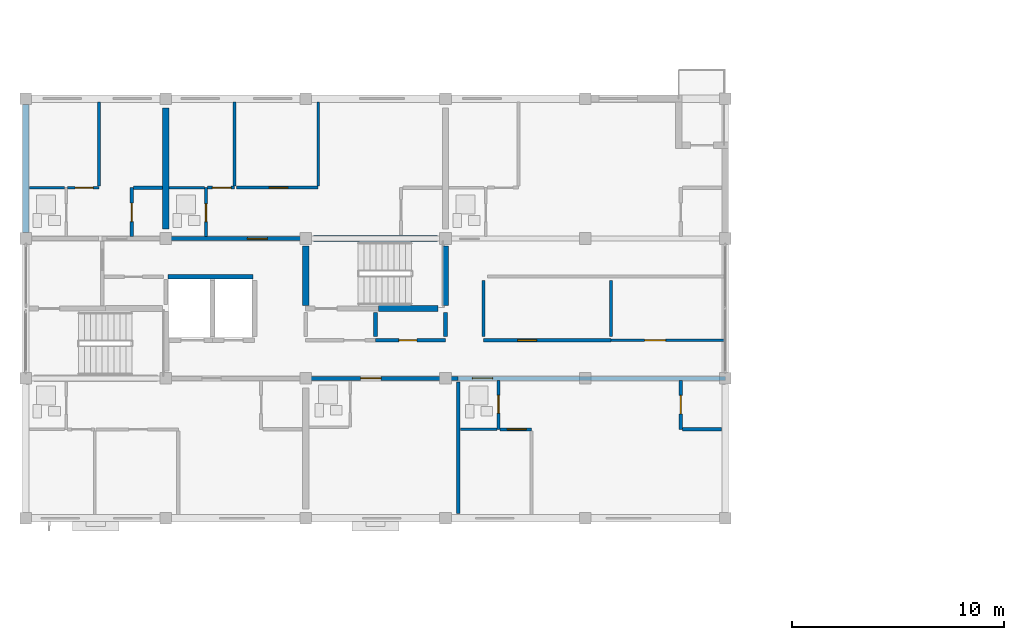
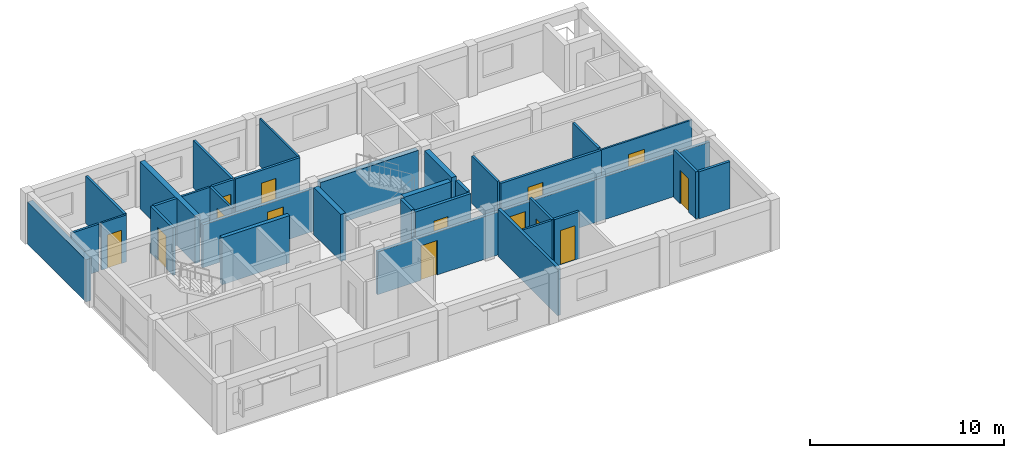
# One storey, part 35 of 53: 34 walls, 14 doors, 14 openings.
"""IFC4 building model written with IfcOpenShell, lengths in metres."""

from ifc_helpers import new_model, si_unit, direction, frame, frame_2d, origin, place, context, subcontext, project, spatial, rectangle, extrude, material, layer, layer_set, type_object, element, fill, save


model = new_model("IFC4")

# Units and contexts
model_context = context("Model", 3, precision=1e-05, world=origin(), true_north=direction((0.0, 1.0)))
body_context = subcontext(model_context, "Body", "Model", "MODEL_VIEW")
ifc_project = project(units=[si_unit("LENGTHUNIT", "METRE"), si_unit("AREAUNIT", "SQUARE_METRE"), si_unit("VOLUMEUNIT", "CUBIC_METRE"), si_unit("PLANEANGLEUNIT", "RADIAN"), si_unit("MASSUNIT", "GRAM", prefix="KILO")], contexts=[model_context])

# Site, building, storey
site_placement = place(None, origin())
site = spatial("IfcSite", under=ifc_project, at=site_placement, CompositionType="ELEMENT")
building_placement = place(site_placement, origin())
building = spatial("IfcBuilding", under=site, at=building_placement, Name="Kernevlak Ridge Housing Community", CompositionType="ELEMENT")
storey_placement = place(building_placement, frame((0.0, 0.0, 24.39990234375)))
storey = spatial("IfcBuildingStorey", under=building, at=storey_placement, Name="L07", CompositionType="ELEMENT", Elevation=24.39990234375)

# Walls
ifc_material_1 = material(Name="Concrete block masonry M10", Category="masonry")
ifc_layer_1 = layer(ifc_material_1, 0.320068359375, Name="Concrete block masonry M10")
ifc_layer_set_1 = layer_set([ifc_layer_1], Name="Concrete block masonry M10")
wall_type_1 = type_object("IfcWallType", Name="EW-02", PredefinedType="STANDARD", material=ifc_layer_set_1)
wall_1_placement = place(storey_placement, frame((15.60009765625, 89.47509765625, 0.0), z_axis=(0.0, 0.0, 1.0), x_axis=(0.0, 1.0, 0.0)))
element("IfcWall", 1, at=wall_1_placement, inside=storey, type_object=wall_type_1, Name="Exterior wall EW-02 L07 122", PredefinedType="STANDARD", context=body_context, shape_type="SweptSolid", body=[
    extrude(rectangle(XDim=6.0498046875, YDim=0.320068359375, at=frame_2d((3.02490234375, 0.0))), origin(), (0.0, 0.0, 1.0), 2.650146484375),
])
ifc_material_2 = material(Name="Concrete C35/45", Category="concrete")
ifc_layer_2 = layer(ifc_material_2, 0.22509765625, Name="Concrete C35/45")
ifc_layer_set_2 = layer_set([ifc_layer_2], Name="Concrete C35/45")
wall_type_2 = type_object("IfcWallType", Name="PW-01", PredefinedType="STANDARD", material=ifc_layer_set_2)
wall_2_placement = place(storey_placement, frame((22.297607421875, 87.39990234375, 0.0), z_axis=(0.0, 0.0, 1.0), x_axis=(1.0, 0.0, 0.0)))
element("IfcWall", 2, at=wall_2_placement, inside=storey, type_object=wall_type_2, Name="Interior wall PW-01 WAL-INT-L07-0445", PredefinedType="STANDARD", context=body_context, shape_type="SweptSolid", body=[
    extrude(rectangle(XDim=4.0224609375, YDim=0.22509765625, at=frame_2d((2.01123046875, 0.0))), origin(), (0.0, 0.0, 1.0), 2.97021484375),
])

# Wall, opening, door
ifc_layer_3 = layer(ifc_material_1, 0.175048828125, Name="Concrete block masonry M10")
ifc_layer_set_3 = layer_set([ifc_layer_3], Name="Concrete block masonry M10")
wall_type_3 = type_object("IfcWallType", Name="PW-02", PredefinedType="PARTITIONING", material=ifc_layer_set_3)
wall_3_placement = place(storey_placement, frame((32.10009765625, 84.39990234375, 0.0), z_axis=(0.0, 0.0, 1.0), x_axis=(1.0, 0.0, 0.0)))
wall_3 = element("IfcWall", 3, at=wall_3_placement, inside=storey, type_object=wall_type_3, Name="Interior wall PW-02 WAL-INT-L07-0451", PredefinedType="PARTITIONING", context=body_context, shape_type="SweptSolid", body=[
    extrude(rectangle(XDim=3.2998046875, YDim=0.175048828125, at=frame_2d((1.64990234375, 0.0))), origin(), (0.0, 0.0, 1.0), 2.97021484375),
])
opening_1_placement = place(wall_3_placement, frame((1.10009765625, 0.0, 0.0)))
opening_1 = element("IfcOpeningElement", 4, at=opening_1_placement, cuts=wall_3, Name="Opening D227", PredefinedType="OPENING", context=body_context, shape_type="SweptSolid", body=[
    extrude(rectangle(XDim=0.85009765625, YDim=2.0, at=frame_2d((0.425048828125, 1.0))), frame((0.0, 0.097412109375, 0.0), z_axis=(0.0, -1.0, 0.0), x_axis=(1.0, 0.0, 0.0)), (0.0, 0.0, 1.0), 0.195068359375),
])
ifc_material_3 = material(Name="Fire-rated sheet steel leaf", Category="steel")
door_type_1 = type_object("IfcDoorType", Name="DT-07", OperationType="NOTDEFINED", PredefinedType="DOOR", material=ifc_material_3)
door_1_placement = place(opening_1_placement, origin())
door_1 = element("IfcDoor", 5, at=door_1_placement, inside=storey, type_object=door_type_1, Name="Block A Cleaner store door D227", OperationType="SINGLE_SWING_LEFT", OverallHeight=2.0, OverallWidth=0.85009765625, PredefinedType="DOOR", context=body_context, shape_type="SweptSolid", body=[
    extrude(rectangle(XDim=0.85009765625, YDim=2.0, at=frame_2d((0.425048828125, 1.0))), frame((0.0, 0.02490234375, 0.0), z_axis=(0.0, -1.0, 0.0), x_axis=(1.0, 0.0, 0.0)), (0.0, 0.0, 1.0), 0.050048828125),
])
fill(opening_1, door_1)

# Walls
for number, where, z_axis, x_axis, name in (
    (6, (32.10009765625, 84.580078125, 0.0), (0.0, 0.0, 1.0), (0.0, 1.0, 0.0), "Interior wall PW-02 WAL-INT-L07-0453"),
    (7, (35.39990234375, 84.580078125, 0.0), (0.0, 0.0, 1.0), (0.0, 1.0, 0.0), "Interior wall PW-02 WAL-INT-L07-0454"),
):
    element("IfcWall", number, at=place(storey_placement, frame(where, z_axis=z_axis, x_axis=x_axis)), inside=storey, type_object=wall_type_3, Name=name, PredefinedType="PARTITIONING", context=body_context, shape_type="SweptSolid", body=[
        extrude(rectangle(XDim=1.139892578125, YDim=0.175048828125, at=frame_2d((0.56982421875, 0.0))), origin(), (0.0, 0.0, 1.0), 2.97021484375),
    ])

# Wall, opening, door
wall_4_placement = place(storey_placement, frame((28.800048828125, 82.60009765625, 0.0), z_axis=(0.0, 0.0, 1.0), x_axis=(1.0, 0.0, 0.0)))
wall_4 = element("IfcWall", 8, at=wall_4_placement, inside=storey, type_object=wall_type_3, Name="Interior wall PW-02 WAL-INT-L07-0469", PredefinedType="PARTITIONING", context=body_context, shape_type="SweptSolid", body=[
    extrude(rectangle(XDim=7.199951171875, YDim=0.175048828125, at=frame_2d((3.60009765625, 0.0))), origin(), (0.0, 0.0, 1.0), 2.7001953125),
])
opening_2_placement = place(wall_4_placement, frame((2.60009765625, 0.0, 0.0)))
opening_2 = element("IfcOpeningElement", 9, at=opening_2_placement, cuts=wall_4, Name="Opening D235", PredefinedType="OPENING", context=body_context, shape_type="SweptSolid", body=[
    extrude(rectangle(XDim=0.9599609375, YDim=2.179931640625, at=frame_2d((0.47998046875, 1.08984375))), frame((0.0, 0.097412109375, 0.0), z_axis=(0.0, -1.0, 0.0), x_axis=(1.0, 0.0, 0.0)), (0.0, 0.0, 1.0), 0.195068359375),
])
ifc_material_4 = material(Name="Hardwood timber solid-core fire leaf", Category="wood")
door_type_2 = type_object("IfcDoorType", Name="DT-29", OperationType="NOTDEFINED", PredefinedType="DOOR", material=ifc_material_4)
door_2_placement = place(opening_2_placement, origin())
door_2 = element("IfcDoor", 10, at=door_2_placement, inside=storey, type_object=door_type_2, Name="Flat A0712 entrance fire door D235", OperationType="SINGLE_SWING_LEFT", OverallHeight=2.179931640625, OverallWidth=0.9599609375, PredefinedType="DOOR", context=body_context, shape_type="SweptSolid", body=[
    extrude(rectangle(XDim=0.9599609375, YDim=2.179931640625, at=frame_2d((0.47998046875, 1.08984375))), frame((0.0, 0.02490234375, 0.0), z_axis=(0.0, -1.0, 0.0), x_axis=(1.0, 0.0, 0.0)), (0.0, 0.0, 1.0), 0.050048828125),
])
fill(opening_2, door_2)

# Wall
wall_5_placement = place(storey_placement, frame((36.0, 82.419921875, 0.0), z_axis=(0.0, 0.0, 1.0), x_axis=(0.0, -1.0, 0.0)))
element("IfcWall", 11, at=wall_5_placement, inside=storey, type_object=wall_type_3, Name="Interior wall PW-02 WAL-INT-L07-0472", PredefinedType="PARTITIONING", context=body_context, shape_type="SweptSolid", body=[
    extrude(rectangle(XDim=6.18994140625, YDim=0.175048828125, at=frame_2d((3.094970703125, 0.0))), origin(), (0.0, 0.0, 1.0), 2.97021484375),
])

# Wall, opening, door
wall_6_placement = place(storey_placement, frame((36.0, 82.60009765625, 0.0), z_axis=(0.0, 0.0, 1.0), x_axis=(1.0, 0.0, 0.0)))
wall_6 = element("IfcWall", 12, at=wall_6_placement, inside=storey, type_object=wall_type_3, Name="Interior wall PW-02 WAL-INT-L07-0473", PredefinedType="PARTITIONING", context=body_context, shape_type="SweptSolid", body=[
    extrude(rectangle(XDim=12.60009765625, YDim=0.175048828125, at=frame_2d((6.300048828125, 0.0))), origin(), (0.0, 0.0, 1.0), 2.7001953125),
])
opening_3_placement = place(wall_6_placement, frame((0.669921875, 0.0, 0.0)))
opening_3 = element("IfcOpeningElement", 13, at=opening_3_placement, cuts=wall_6, Name="Opening D237", PredefinedType="OPENING", context=body_context, shape_type="SweptSolid", body=[
    extrude(rectangle(XDim=0.949951171875, YDim=2.159912109375, at=frame_2d((0.47509765625, 1.080078125))), frame((0.0, 0.097412109375, 0.0), z_axis=(0.0, -1.0, 0.0), x_axis=(1.0, 0.0, 0.0)), (0.0, 0.0, 1.0), 0.195068359375),
])
door_type_3 = type_object("IfcDoorType", Name="DT-02", OperationType="NOTDEFINED", PredefinedType="DOOR", material=ifc_material_4)
door_3_placement = place(opening_3_placement, origin())
door_3 = element("IfcDoor", 14, at=door_3_placement, inside=storey, type_object=door_type_3, Name="Flat A0713 entrance fire door D237", OperationType="SINGLE_SWING_LEFT", OverallHeight=2.159912109375, OverallWidth=0.949951171875, PredefinedType="DOOR", context=body_context, shape_type="SweptSolid", body=[
    extrude(rectangle(XDim=0.949951171875, YDim=2.159912109375, at=frame_2d((0.47509765625, 1.080078125))), frame((0.0, 0.02490234375, 0.0), z_axis=(0.0, -1.0, 0.0), x_axis=(1.0, 0.0, 0.0)), (0.0, 0.0, 1.0), 0.050048828125),
])
fill(opening_3, door_3)

wall_7_placement = place(storey_placement, frame((22.199951171875, 89.199951171875, 0.0), z_axis=(0.0, 0.0, 1.0), x_axis=(1.0, 0.0, 0.0)))
wall_7 = element("IfcWall", 15, at=wall_7_placement, inside=storey, type_object=wall_type_3, Name="Interior wall PW-02 WAL-INT-L07-0488", PredefinedType="PARTITIONING", context=body_context, shape_type="SweptSolid", body=[
    extrude(rectangle(XDim=6.60009765625, YDim=0.175048828125, at=frame_2d((3.300048828125, 0.0))), origin(), (0.0, 0.0, 1.0), 2.7001953125),
])
opening_4_placement = place(wall_7_placement, frame((3.85009765625, 0.0, 0.0)))
opening_4 = element("IfcOpeningElement", 16, at=opening_4_placement, cuts=wall_7, Name="Opening D245", PredefinedType="OPENING", context=body_context, shape_type="SweptSolid", body=[
    extrude(rectangle(XDim=0.949951171875, YDim=2.159912109375, at=frame_2d((0.47509765625, 1.080078125))), frame((0.0, 0.097412109375, 0.0), z_axis=(0.0, -1.0, 0.0), x_axis=(1.0, 0.0, 0.0)), (0.0, 0.0, 1.0), 0.195068359375),
])
door_4_placement = place(opening_4_placement, origin())
door_4 = element("IfcDoor", 17, at=door_4_placement, inside=storey, type_object=door_type_3, Name="Flat A0722 entrance fire door D245", OperationType="SINGLE_SWING_LEFT", OverallHeight=2.159912109375, OverallWidth=0.949951171875, PredefinedType="DOOR", context=body_context, shape_type="SweptSolid", body=[
    extrude(rectangle(XDim=0.949951171875, YDim=2.159912109375, at=frame_2d((0.47509765625, 1.080078125))), frame((0.0, 0.02490234375, 0.0), z_axis=(0.0, -1.0, 0.0), x_axis=(1.0, 0.0, 0.0)), (0.0, 0.0, 1.0), 0.050048828125),
])
fill(opening_4, door_4)

ifc_layer_4 = layer(ifc_material_1, 0.14501953125, Name="Concrete block masonry M10")
ifc_layer_set_4 = layer_set([ifc_layer_4], Name="Concrete block masonry M10")
wall_type_4 = type_object("IfcWallType", Name="PW-03", PredefinedType="PARTITIONING", material=ifc_layer_set_4)
wall_8_placement = place(storey_placement, frame((37.199951171875, 84.39990234375, 0.0), z_axis=(0.0, 0.0, 1.0), x_axis=(1.0, 0.0, 0.0)))
wall_8 = element("IfcWall", 18, at=wall_8_placement, inside=storey, type_object=wall_type_4, Name="Interior wall PW-03 WAL-INT-L07-0455", PredefinedType="PARTITIONING", context=body_context, shape_type="SweptSolid", body=[
    extrude(rectangle(XDim=6.0, YDim=0.14501953125, at=frame_2d((3.0, 0.0))), origin(), (0.0, 0.0, 1.0), 2.97021484375),
])
opening_5_placement = place(wall_8_placement, frame((1.60009765625, 0.0, 0.0)))
opening_5 = element("IfcOpeningElement", 19, at=opening_5_placement, cuts=wall_8, Name="Opening D228", PredefinedType="OPENING", context=body_context, shape_type="SweptSolid", body=[
    extrude(rectangle(XDim=0.89990234375, YDim=2.159912109375, at=frame_2d((0.449951171875, 1.080078125))), frame((0.0, 0.08251953125, 0.0), z_axis=(0.0, -1.0, 0.0), x_axis=(1.0, 0.0, 0.0)), (0.0, 0.0, 1.0), 0.1650390625),
])
ifc_material_5 = material(Name="Hardwood timber leaf", Category="wood")
door_type_4 = type_object("IfcDoorType", Name="DT-22", OperationType="NOTDEFINED", PredefinedType="DOOR", material=ifc_material_5)
door_5_placement = place(opening_5_placement, origin())
door_5 = element("IfcDoor", 20, at=door_5_placement, inside=storey, type_object=door_type_4, Name="Block A Laundry room door D228", OperationType="SINGLE_SWING_RIGHT", OverallHeight=2.159912109375, OverallWidth=0.89990234375, PredefinedType="DOOR", context=body_context, shape_type="SweptSolid", body=[
    extrude(rectangle(XDim=0.89990234375, YDim=2.159912109375, at=frame_2d((0.449951171875, 1.080078125))), frame((0.0, 0.02490234375, 0.0), z_axis=(0.0, -1.0, 0.0), x_axis=(1.0, 0.0, 0.0)), (0.0, 0.0, 1.0), 0.050048828125),
])
fill(opening_5, door_5)

# Walls
for number, where, z_axis, x_axis, name in (
    (21, (43.199951171875, 84.580078125, 0.0), (0.0, 0.0, 1.0), (0.0, 1.0, 0.0), "Interior wall PW-03 WAL-INT-L07-0457"),
    (22, (37.199951171875, 84.580078125, 0.0), (0.0, 0.0, 1.0), (0.0, 1.0, 0.0), "Interior wall PW-03 WAL-INT-L07-0459"),
):
    element("IfcWall", number, at=place(storey_placement, frame(where, z_axis=z_axis, x_axis=x_axis)), inside=storey, type_object=wall_type_4, Name=name, PredefinedType="PARTITIONING", context=body_context, shape_type="SweptSolid", body=[
        extrude(rectangle(XDim=2.639892578125, YDim=0.14501953125, at=frame_2d((1.31982421875, 0.0))), origin(), (0.0, 0.0, 1.0), 2.97021484375),
    ])

# Wall, opening, door
wall_9_placement = place(storey_placement, frame((37.972412109375, 80.199951171875, 0.0), z_axis=(0.0, 0.0, 1.0), x_axis=(1.0, 0.0, 0.0)))
wall_9 = element("IfcWall", 23, at=wall_9_placement, inside=storey, type_object=wall_type_4, Name="Interior wall PW-03 WAL-INT-L07-0478", PredefinedType="PARTITIONING", context=body_context, shape_type="SweptSolid", body=[
    extrude(rectangle(XDim=1.4775390625, YDim=0.14501953125, at=frame_2d((0.73876953125, 0.0))), origin(), (0.0, 0.0, 1.0), 2.97021484375),
])
opening_6_placement = place(wall_9_placement, frame((0.35009765625, 0.0, 0.0)))
opening_6 = element("IfcOpeningElement", 24, at=opening_6_placement, cuts=wall_9, Name="Opening D240", PredefinedType="OPENING", context=body_context, shape_type="SweptSolid", body=[
    extrude(rectangle(XDim=0.8798828125, YDim=2.159912109375, at=frame_2d((0.43994140625, 1.080078125))), frame((0.0, 0.08251953125, 0.0), z_axis=(0.0, -1.0, 0.0), x_axis=(1.0, 0.0, 0.0)), (0.0, 0.0, 1.0), 0.1650390625),
])
door_type_5 = type_object("IfcDoorType", Name="DT-26", OperationType="NOTDEFINED", PredefinedType="DOOR", material=ifc_material_5)
door_6_placement = place(opening_6_placement, origin())
door_6 = element("IfcDoor", 25, at=door_6_placement, inside=storey, type_object=door_type_5, Name="Flat A0713 bedroom door D240", OperationType="SINGLE_SWING_RIGHT", OverallHeight=2.159912109375, OverallWidth=0.8798828125, PredefinedType="DOOR", context=body_context, shape_type="SweptSolid", body=[
    extrude(rectangle(XDim=0.8798828125, YDim=2.159912109375, at=frame_2d((0.43994140625, 1.080078125))), frame((0.0, 0.02490234375, 0.0), z_axis=(0.0, -1.0, 0.0), x_axis=(1.0, 0.0, 0.0)), (0.0, 0.0, 1.0), 0.050048828125),
])
fill(opening_6, door_6)

# Wall
wall_10_placement = place(storey_placement, frame((19.050048828125, 91.679931640625, 0.0), z_axis=(0.0, 0.0, 1.0), x_axis=(0.0, 1.0, 0.0)))
element("IfcWall", 26, at=wall_10_placement, inside=storey, type_object=wall_type_4, Name="Interior wall PW-03 WAL-INT-L07-0487", PredefinedType="PARTITIONING", context=body_context, shape_type="SweptSolid", body=[
    extrude(rectangle(XDim=3.949951171875, YDim=0.14501953125, at=frame_2d((1.97509765625, 0.0))), origin(), (0.0, 0.0, 1.0), 2.97021484375),
])

# Wall, opening, door
wall_11_placement = place(storey_placement, frame((24.172607421875, 91.60009765625, 0.0), z_axis=(0.0, 0.0, 1.0), x_axis=(1.0, 0.0, 0.0)))
wall_11 = element("IfcWall", 27, at=wall_11_placement, inside=storey, type_object=wall_type_4, Name="Interior wall PW-03 WAL-INT-L07-0493", PredefinedType="PARTITIONING", context=body_context, shape_type="SweptSolid", body=[
    extrude(rectangle(XDim=1.27734375, YDim=0.14501953125, at=frame_2d((0.638671875, 0.0))), origin(), (0.0, 0.0, 1.0), 2.97021484375),
])
opening_7_placement = place(wall_11_placement, frame((0.2275390625, 0.0, 0.0)))
opening_7 = element("IfcOpeningElement", 28, at=opening_7_placement, cuts=wall_11, Name="Opening D248", PredefinedType="OPENING", context=body_context, shape_type="SweptSolid", body=[
    extrude(rectangle(XDim=0.8798828125, YDim=2.10009765625, at=frame_2d((0.43994140625, 1.050048828125))), frame((0.0, 0.08251953125, 0.0), z_axis=(0.0, -1.0, 0.0), x_axis=(1.0, 0.0, 0.0)), (0.0, 0.0, 1.0), 0.1650390625),
])
door_type_6 = type_object("IfcDoorType", Name="DT-25", OperationType="NOTDEFINED", PredefinedType="DOOR", material=ifc_material_5)
door_7_placement = place(opening_7_placement, origin())
door_7 = element("IfcDoor", 29, at=door_7_placement, inside=storey, type_object=door_type_6, Name="Flat A0722 bedroom door D248", OperationType="SINGLE_SWING_RIGHT", OverallHeight=2.10009765625, OverallWidth=0.8798828125, PredefinedType="DOOR", context=body_context, shape_type="SweptSolid", body=[
    extrude(rectangle(XDim=0.8798828125, YDim=2.10009765625, at=frame_2d((0.43994140625, 1.050048828125))), frame((0.0, 0.02490234375, 0.0), z_axis=(0.0, -1.0, 0.0), x_axis=(1.0, 0.0, 0.0)), (0.0, 0.0, 1.0), 0.050048828125),
])
fill(opening_7, door_7)

# Wall
wall_12_placement = place(storey_placement, frame((25.449951171875, 91.6826171875, 0.0), z_axis=(0.0, 0.0, 1.0), x_axis=(0.0, 1.0, 0.0)))
element("IfcWall", 30, at=wall_12_placement, inside=storey, type_object=wall_type_4, Name="Interior wall PW-03 WAL-INT-L07-0494", PredefinedType="PARTITIONING", context=body_context, shape_type="SweptSolid", body=[
    extrude(rectangle(XDim=3.947265625, YDim=0.14501953125, at=frame_2d((1.9736328125, 0.0))), origin(), (0.0, 0.0, 1.0), 2.97021484375),
])

# Wall, opening, door
wall_13_placement = place(storey_placement, frame((25.532470703125, 91.60009765625, 0.0), z_axis=(0.0, 0.0, 1.0), x_axis=(1.0, 0.0, 0.0)))
wall_13 = element("IfcWall", 31, at=wall_13_placement, inside=storey, type_object=wall_type_4, Name="Interior wall PW-03 WAL-INT-L07-0495", PredefinedType="PARTITIONING", context=body_context, shape_type="SweptSolid", body=[
    extrude(rectangle(XDim=3.859619140625, YDim=0.14501953125, at=frame_2d((1.9296875, 0.0))), origin(), (0.0, 0.0, 1.0), 2.97021484375),
])
opening_8_placement = place(wall_13_placement, frame((1.5458984375, 0.0, 0.0)))
opening_8 = element("IfcOpeningElement", 32, at=opening_8_placement, cuts=wall_13, Name="Opening D249", PredefinedType="OPENING", context=body_context, shape_type="SweptSolid", body=[
    extrude(rectangle(XDim=0.8798828125, YDim=2.159912109375, at=frame_2d((0.43994140625, 1.080078125))), frame((0.0, 0.08251953125, 0.0), z_axis=(0.0, -1.0, 0.0), x_axis=(1.0, 0.0, 0.0)), (0.0, 0.0, 1.0), 0.1650390625),
])
door_8_placement = place(opening_8_placement, origin())
door_8 = element("IfcDoor", 33, at=door_8_placement, inside=storey, type_object=door_type_5, Name="Flat A0722 bedroom door D249", OperationType="SINGLE_SWING_LEFT", OverallHeight=2.159912109375, OverallWidth=0.8798828125, PredefinedType="DOOR", context=body_context, shape_type="SweptSolid", body=[
    extrude(rectangle(XDim=0.8798828125, YDim=2.159912109375, at=frame_2d((0.43994140625, 1.080078125))), frame((0.0, 0.02490234375, 0.0), z_axis=(0.0, -1.0, 0.0), x_axis=(1.0, 0.0, 0.0)), (0.0, 0.0, 1.0), 0.050048828125),
])
fill(opening_8, door_8)

ifc_material_6 = material(Name="Gypsum plasterboard EN 520", Category="gypsum")
ifc_layer_5 = layer(ifc_material_6, 0.125, Name="Gypsum plasterboard EN 520")
ifc_layer_set_5 = layer_set([ifc_layer_5], Name="Gypsum plasterboard EN 520")
wall_type_5 = type_object("IfcWallType", Name="PW-04", PredefinedType="PARTITIONING", material=ifc_layer_set_5)
wall_14_placement = place(storey_placement, frame((37.89990234375, 82.50244140625, 0.0), z_axis=(0.0, 0.0, 1.0), x_axis=(0.0, -1.0, 0.0)))
wall_14 = element("IfcWall", 34, at=wall_14_placement, inside=storey, type_object=wall_type_5, Name="Interior wall PW-04 WAL-INT-L07-0474", PredefinedType="PARTITIONING", context=body_context, shape_type="SweptSolid", body=[
    extrude(rectangle(XDim=2.302490234375, YDim=0.125, at=frame_2d((1.1513671875, 0.0))), origin(), (0.0, 0.0, 1.0), 2.97021484375),
])
opening_9_placement = place(wall_14_placement, frame((0.699951171875, 0.0, 0.0)))
opening_9 = element("IfcOpeningElement", 35, at=opening_9_placement, cuts=wall_14, Name="Opening D238", PredefinedType="OPENING", context=body_context, shape_type="SweptSolid", body=[
    extrude(rectangle(XDim=0.840087890625, YDim=2.06005859375, at=frame_2d((0.419921875, 1.030029296875))), frame((0.0, 0.072509765625, 0.0), z_axis=(0.0, -1.0, 0.0), x_axis=(1.0, 0.0, 0.0)), (0.0, 0.0, 1.0), 0.14501953125),
])
ifc_material_7 = material(Name="Hardwood timber moisture-resistant leaf", Category="wood")
door_type_7 = type_object("IfcDoorType", Name="DT-27", OperationType="NOTDEFINED", PredefinedType="DOOR", material=ifc_material_7)
door_9_placement = place(opening_9_placement, origin())
door_9 = element("IfcDoor", 36, at=door_9_placement, inside=storey, type_object=door_type_7, Name="Flat A0713 bathroom door D238", OperationType="SINGLE_SWING_RIGHT", OverallHeight=2.06005859375, OverallWidth=0.840087890625, PredefinedType="DOOR", context=body_context, shape_type="SweptSolid", body=[
    extrude(rectangle(XDim=0.840087890625, YDim=2.06005859375, at=frame_2d((0.419921875, 1.030029296875))), frame((0.0, 0.02490234375, 0.0), z_axis=(0.0, -1.0, 0.0), x_axis=(1.0, 0.0, 0.0)), (0.0, 0.0, 1.0), 0.050048828125),
])
fill(opening_9, door_9)

# Walls
wall_15_placement = place(storey_placement, frame((36.097412109375, 80.199951171875, 0.0), z_axis=(0.0, 0.0, 1.0), x_axis=(1.0, 0.0, 0.0)))
element("IfcWall", 37, at=wall_15_placement, inside=storey, type_object=wall_type_5, Name="Interior wall PW-04 WAL-INT-L07-0475", PredefinedType="PARTITIONING", context=body_context, shape_type="SweptSolid", body=[
    extrude(rectangle(XDim=1.72265625, YDim=0.125, at=frame_2d((0.861328125, 0.0))), origin(), (0.0, 0.0, 1.0), 2.97021484375),
])
wall_16_placement = place(storey_placement, frame((15.77001953125, 91.60009765625, 0.0), z_axis=(0.0, 0.0, 1.0), x_axis=(1.0, 0.0, 0.0)))
element("IfcWall", 38, at=wall_16_placement, inside=storey, type_object=wall_type_5, Name="Interior wall PW-04 WAL-INT-L07-0483", PredefinedType="PARTITIONING", context=body_context, shape_type="SweptSolid", body=[
    extrude(rectangle(XDim=1.64990234375, YDim=0.125, at=frame_2d((0.824951171875, 0.0))), origin(), (0.0, 0.0, 1.0), 2.97021484375),
])

# Wall, opening, door
wall_17_placement = place(storey_placement, frame((24.10009765625, 89.297607421875, 0.0), z_axis=(0.0, 0.0, 1.0), x_axis=(0.0, 1.0, 0.0)))
wall_17 = element("IfcWall", 39, at=wall_17_placement, inside=storey, type_object=wall_type_5, Name="Interior wall PW-04 WAL-INT-L07-0489", PredefinedType="PARTITIONING", context=body_context, shape_type="SweptSolid", body=[
    extrude(rectangle(XDim=2.302490234375, YDim=0.125, at=frame_2d((1.1513671875, 0.0))), origin(), (0.0, 0.0, 1.0), 2.97021484375),
])
opening_10_placement = place(wall_17_placement, frame((0.699951171875, 0.0, 0.0)))
opening_10 = element("IfcOpeningElement", 40, at=opening_10_placement, cuts=wall_17, Name="Opening D246", PredefinedType="OPENING", context=body_context, shape_type="SweptSolid", body=[
    extrude(rectangle(XDim=0.840087890625, YDim=2.06005859375, at=frame_2d((0.419921875, 1.030029296875))), frame((0.0, 0.072509765625, 0.0), z_axis=(0.0, -1.0, 0.0), x_axis=(1.0, 0.0, 0.0)), (0.0, 0.0, 1.0), 0.14501953125),
])
door_10_placement = place(opening_10_placement, origin())
door_10 = element("IfcDoor", 41, at=door_10_placement, inside=storey, type_object=door_type_7, Name="Flat A0722 bathroom door D246", OperationType="SINGLE_SWING_RIGHT", OverallHeight=2.06005859375, OverallWidth=0.840087890625, PredefinedType="DOOR", context=body_context, shape_type="SweptSolid", body=[
    extrude(rectangle(XDim=0.840087890625, YDim=2.06005859375, at=frame_2d((0.419921875, 1.030029296875))), frame((0.0, 0.02490234375, 0.0), z_axis=(0.0, -1.0, 0.0), x_axis=(1.0, 0.0, 0.0)), (0.0, 0.0, 1.0), 0.050048828125),
])
fill(opening_10, door_10)

# Wall
wall_18_placement = place(storey_placement, frame((22.360107421875, 91.60009765625, 0.0), z_axis=(0.0, 0.0, 1.0), x_axis=(1.0, 0.0, 0.0)))
element("IfcWall", 42, at=wall_18_placement, inside=storey, type_object=wall_type_5, Name="Interior wall PW-04 WAL-INT-L07-0490", PredefinedType="PARTITIONING", context=body_context, shape_type="SweptSolid", body=[
    extrude(rectangle(XDim=1.659912109375, YDim=0.125, at=frame_2d((0.830078125, 0.0))), origin(), (0.0, 0.0, 1.0), 2.97021484375),
])

# Wall, opening, door
ifc_layer_6 = layer(ifc_material_6, 0.155029296875, Name="Gypsum plasterboard EN 520")
ifc_layer_set_6 = layer_set([ifc_layer_6], Name="Gypsum plasterboard EN 520")
wall_type_6 = type_object("IfcWallType", Name="PW-05", PredefinedType="PARTITIONING", material=ifc_layer_set_6)
wall_19_placement = place(storey_placement, frame((46.5, 82.50244140625, 0.0), z_axis=(0.0, 0.0, 1.0), x_axis=(0.0, -1.0, 0.0)))
wall_19 = element("IfcWall", 43, at=wall_19_placement, inside=storey, type_object=wall_type_6, Name="Interior wall PW-05 WAL-INT-L07-0476", PredefinedType="PARTITIONING", context=body_context, shape_type="SweptSolid", body=[
    extrude(rectangle(XDim=2.302490234375, YDim=0.155029296875, at=frame_2d((1.1513671875, 0.0))), origin(), (0.0, 0.0, 1.0), 2.97021484375),
])
opening_11_placement = place(wall_19_placement, frame((0.699951171875, 0.0, 0.0)))
opening_11 = element("IfcOpeningElement", 44, at=opening_11_placement, cuts=wall_19, Name="Opening D239", PredefinedType="OPENING", context=body_context, shape_type="SweptSolid", body=[
    extrude(rectangle(XDim=0.8798828125, YDim=2.10009765625, at=frame_2d((0.43994140625, 1.050048828125))), frame((0.0, 0.08740234375, 0.0), z_axis=(0.0, -1.0, 0.0), x_axis=(1.0, 0.0, 0.0)), (0.0, 0.0, 1.0), 0.175048828125),
])
door_11_placement = place(opening_11_placement, origin())
door_11 = element("IfcDoor", 45, at=door_11_placement, inside=storey, type_object=door_type_6, Name="Flat A0713 kitchen door D239", OperationType="SINGLE_SWING_LEFT", OverallHeight=2.10009765625, OverallWidth=0.8798828125, PredefinedType="DOOR", context=body_context, shape_type="SweptSolid", body=[
    extrude(rectangle(XDim=0.8798828125, YDim=2.10009765625, at=frame_2d((0.43994140625, 1.050048828125))), frame((0.0, 0.02490234375, 0.0), z_axis=(0.0, -1.0, 0.0), x_axis=(1.0, 0.0, 0.0)), (0.0, 0.0, 1.0), 0.050048828125),
])
fill(opening_11, door_11)

# Wall
wall_20_placement = place(storey_placement, frame((46.58740234375, 80.199951171875, 0.0), z_axis=(0.0, 0.0, 1.0), x_axis=(1.0, 0.0, 0.0)))
element("IfcWall", 46, at=wall_20_placement, inside=storey, type_object=wall_type_6, Name="Interior wall PW-05 WAL-INT-L07-0477", PredefinedType="PARTITIONING", context=body_context, shape_type="SweptSolid", body=[
    extrude(rectangle(XDim=1.842529296875, YDim=0.155029296875, at=frame_2d((0.92138671875, 0.0))), origin(), (0.0, 0.0, 1.0), 2.97021484375),
])

# Wall, opening, door
wall_21_placement = place(storey_placement, frame((20.60009765625, 89.297607421875, 0.0), z_axis=(0.0, 0.0, 1.0), x_axis=(0.0, 1.0, 0.0)))
wall_21 = element("IfcWall", 47, at=wall_21_placement, inside=storey, type_object=wall_type_6, Name="Interior wall PW-05 WAL-INT-L07-0484", PredefinedType="PARTITIONING", context=body_context, shape_type="SweptSolid", body=[
    extrude(rectangle(XDim=2.302490234375, YDim=0.155029296875, at=frame_2d((1.1513671875, 0.0))), origin(), (0.0, 0.0, 1.0), 2.97021484375),
])
opening_12_placement = place(wall_21_placement, frame((0.699951171875, 0.0, 0.0)))
opening_12 = element("IfcOpeningElement", 48, at=opening_12_placement, cuts=wall_21, Name="Opening D243", PredefinedType="OPENING", context=body_context, shape_type="SweptSolid", body=[
    extrude(rectangle(XDim=0.8701171875, YDim=2.080078125, at=frame_2d((0.43505859375, 1.0400390625))), frame((0.0, 0.08740234375, 0.0), z_axis=(0.0, -1.0, 0.0), x_axis=(1.0, 0.0, 0.0)), (0.0, 0.0, 1.0), 0.175048828125),
])
door_type_8 = type_object("IfcDoorType", Name="DT-32", OperationType="NOTDEFINED", PredefinedType="DOOR", material=ifc_material_5)
door_12_placement = place(opening_12_placement, origin())
door_12 = element("IfcDoor", 49, at=door_12_placement, inside=storey, type_object=door_type_8, Name="Flat A0721 kitchen door D243", OperationType="SINGLE_SWING_LEFT", OverallHeight=2.080078125, OverallWidth=0.8701171875, PredefinedType="DOOR", context=body_context, shape_type="SweptSolid", body=[
    extrude(rectangle(XDim=0.8701171875, YDim=2.080078125, at=frame_2d((0.43505859375, 1.0400390625))), frame((0.0, 0.02490234375, 0.0), z_axis=(0.0, -1.0, 0.0), x_axis=(1.0, 0.0, 0.0)), (0.0, 0.0, 1.0), 0.050048828125),
])
fill(opening_12, door_12)

# Wall
wall_22_placement = place(storey_placement, frame((20.6875, 91.60009765625, 0.0), z_axis=(0.0, 0.0, 1.0), x_axis=(1.0, 0.0, 0.0)))
element("IfcWall", 50, at=wall_22_placement, inside=storey, type_object=wall_type_6, Name="Interior wall PW-05 WAL-INT-L07-0485", PredefinedType="PARTITIONING", context=body_context, shape_type="SweptSolid", body=[
    extrude(rectangle(XDim=1.3525390625, YDim=0.155029296875, at=frame_2d((0.67626953125, 0.0))), origin(), (0.0, 0.0, 1.0), 2.97021484375),
])

# Wall, opening, door
ifc_layer_7 = layer(ifc_material_6, 0.10498046875, Name="Gypsum plasterboard EN 520")
ifc_layer_set_7 = layer_set([ifc_layer_7], Name="Gypsum plasterboard EN 520")
wall_type_7 = type_object("IfcWallType", Name="PW-06", PredefinedType="PARTITIONING", material=ifc_layer_set_7)
wall_23_placement = place(storey_placement, frame((43.199951171875, 84.39990234375, 0.0), z_axis=(0.0, 0.0, 1.0), x_axis=(1.0, 0.0, 0.0)))
wall_23 = element("IfcWall", 51, at=wall_23_placement, inside=storey, type_object=wall_type_7, Name="Interior wall PW-06 WAL-INT-L07-0456", PredefinedType="PARTITIONING", context=body_context, shape_type="SweptSolid", body=[
    extrude(rectangle(XDim=5.400146484375, YDim=0.10498046875, at=frame_2d((2.7001953125, 0.0))), origin(), (0.0, 0.0, 1.0), 2.97021484375),
])
opening_13_placement = place(wall_23_placement, frame((1.60009765625, 0.0, 0.0)))
opening_13 = element("IfcOpeningElement", 52, at=opening_13_placement, cuts=wall_23, Name="Opening D229", PredefinedType="OPENING", context=body_context, shape_type="SweptSolid", body=[
    extrude(rectangle(XDim=0.97998046875, YDim=2.1201171875, at=frame_2d((0.489990234375, 1.06005859375))), frame((0.0, 0.0625, 0.0), z_axis=(0.0, -1.0, 0.0), x_axis=(1.0, 0.0, 0.0)), (0.0, 0.0, 1.0), 0.125),
])
door_type_9 = type_object("IfcDoorType", Name="DT-24", OperationType="NOTDEFINED", PredefinedType="DOOR", material=ifc_material_5)
door_13_placement = place(opening_13_placement, origin())
door_13 = element("IfcDoor", 53, at=door_13_placement, inside=storey, type_object=door_type_9, Name="Block A Study room door D229", OperationType="SINGLE_SWING_LEFT", OverallHeight=2.1201171875, OverallWidth=0.97998046875, PredefinedType="DOOR", context=body_context, shape_type="SweptSolid", body=[
    extrude(rectangle(XDim=0.97998046875, YDim=2.1201171875, at=frame_2d((0.489990234375, 1.06005859375))), frame((0.0, 0.02490234375, 0.0), z_axis=(0.0, -1.0, 0.0), x_axis=(1.0, 0.0, 0.0)), (0.0, 0.0, 1.0), 0.050048828125),
])
fill(opening_13, door_13)

wall_24_placement = place(storey_placement, frame((17.572509765625, 91.60009765625, 0.0), z_axis=(0.0, 0.0, 1.0), x_axis=(1.0, 0.0, 0.0)))
wall_24 = element("IfcWall", 54, at=wall_24_placement, inside=storey, type_object=wall_type_7, Name="Interior wall PW-06 WAL-INT-L07-0486", PredefinedType="PARTITIONING", context=body_context, shape_type="SweptSolid", body=[
    extrude(rectangle(XDim=1.4775390625, YDim=0.10498046875, at=frame_2d((0.73876953125, 0.0))), origin(), (0.0, 0.0, 1.0), 2.97021484375),
])
opening_14_placement = place(wall_24_placement, frame((0.35009765625, 0.0, 0.0)))
opening_14 = element("IfcOpeningElement", 55, at=opening_14_placement, cuts=wall_24, Name="Opening D244", PredefinedType="OPENING", context=body_context, shape_type="SweptSolid", body=[
    extrude(rectangle(XDim=0.85009765625, YDim=2.10009765625, at=frame_2d((0.425048828125, 1.050048828125))), frame((0.0, 0.0625, 0.0), z_axis=(0.0, -1.0, 0.0), x_axis=(1.0, 0.0, 0.0)), (0.0, 0.0, 1.0), 0.125),
])
door_type_10 = type_object("IfcDoorType", Name="DT-03", OperationType="NOTDEFINED", PredefinedType="DOOR", material=ifc_material_5)
door_14_placement = place(opening_14_placement, origin())
door_14 = element("IfcDoor", 56, at=door_14_placement, inside=storey, type_object=door_type_10, Name="Flat A0721 bedroom door D244", OperationType="SINGLE_SWING_RIGHT", OverallHeight=2.10009765625, OverallWidth=0.85009765625, PredefinedType="DOOR", context=body_context, shape_type="SweptSolid", body=[
    extrude(rectangle(XDim=0.85009765625, YDim=2.10009765625, at=frame_2d((0.425048828125, 1.050048828125))), frame((0.0, 0.02490234375, 0.0), z_axis=(0.0, -1.0, 0.0), x_axis=(1.0, 0.0, 0.0)), (0.0, 0.0, 1.0), 0.050048828125),
])
fill(opening_14, door_14)

# Walls
wall_25_placement = place(storey_placement, frame((29.39208984375, 91.6826171875, 0.0), z_axis=(0.0, 0.0, 1.0), x_axis=(0.0, 1.0, 0.0)))
element("IfcWall", 57, at=wall_25_placement, inside=storey, type_object=wall_type_7, Name="Interior wall PW-06 WAL-INT-L07-0496", PredefinedType="PARTITIONING", context=body_context, shape_type="SweptSolid", body=[
    extrude(rectangle(XDim=3.947265625, YDim=0.10498046875, at=frame_2d((1.9736328125, 0.0))), origin(), (0.0, 0.0, 1.0), 2.97021484375),
])
ifc_material_8 = material(Name="Concrete C40/50", Category="concrete")
ifc_layer_8 = layer(ifc_material_8, 0.300048828125, Name="Concrete C40/50")
ifc_layer_set_8 = layer_set([ifc_layer_8], Name="Concrete C40/50")
wall_type_8 = type_object("IfcWallType", Name="SW-02", PredefinedType="SHEAR", material=ifc_layer_set_8)
wall_26_placement = place(storey_placement, frame((29.179931640625, 89.199951171875, 0.0), z_axis=(0.0, 0.0, 1.0), x_axis=(1.0, 0.0, 0.0)))
element("IfcWall", 58, at=wall_26_placement, inside=storey, type_object=wall_type_8, Name="Shear wall SW-02 Block A L07 84", PredefinedType="SHEAR", context=body_context, shape_type="SweptSolid", body=[
    extrude(rectangle(XDim=5.840087890625, YDim=0.300048828125, at=frame_2d((2.919921875, 0.0))), origin(), (0.0, 0.0, 1.0), 2.97021484375),
])
for number, where, z_axis, x_axis, name in (
    (59, (32.25, 85.89990234375, 0.0), (0.0, 0.0, 1.0), (1.0, 0.0, 0.0), "Shear wall SW-02 Block A L07 85"),
    (60, (28.800048828125, 86.050048828125, 0.0), (0.0, 0.0, 1.0), (0.0, 1.0, 0.0), "Shear wall SW-02 Block A L07 86"),
    (61, (35.39990234375, 86.050048828125, 0.0), (0.0, 0.0, 1.0), (0.0, 1.0, 0.0), "Shear wall SW-02 Block A L07 87"),
):
    element("IfcWall", number, at=place(storey_placement, frame(where, z_axis=z_axis, x_axis=x_axis)), inside=storey, type_object=wall_type_8, Name=name, PredefinedType="SHEAR", context=body_context, shape_type="SweptSolid", body=[
        extrude(rectangle(XDim=2.800048828125, YDim=0.300048828125, at=frame_2d((1.39990234375, 0.0))), origin(), (0.0, 0.0, 1.0), 2.97021484375),
    ])
wall_27_placement = place(storey_placement, frame((22.199951171875, 89.64990234375, 0.0), z_axis=(0.0, 0.0, 1.0), x_axis=(0.0, 1.0, 0.0)))
element("IfcWall", 62, at=wall_27_placement, inside=storey, type_object=wall_type_8, Name="Shear wall SW-02 Block A L07 89", PredefinedType="SHEAR", context=body_context, shape_type="SweptSolid", body=[
    extrude(rectangle(XDim=5.7001953125, YDim=0.300048828125, at=frame_2d((2.85009765625, 0.0))), origin(), (0.0, 0.0, 1.0), 2.97021484375),
])

save(model, "model.ifc")
